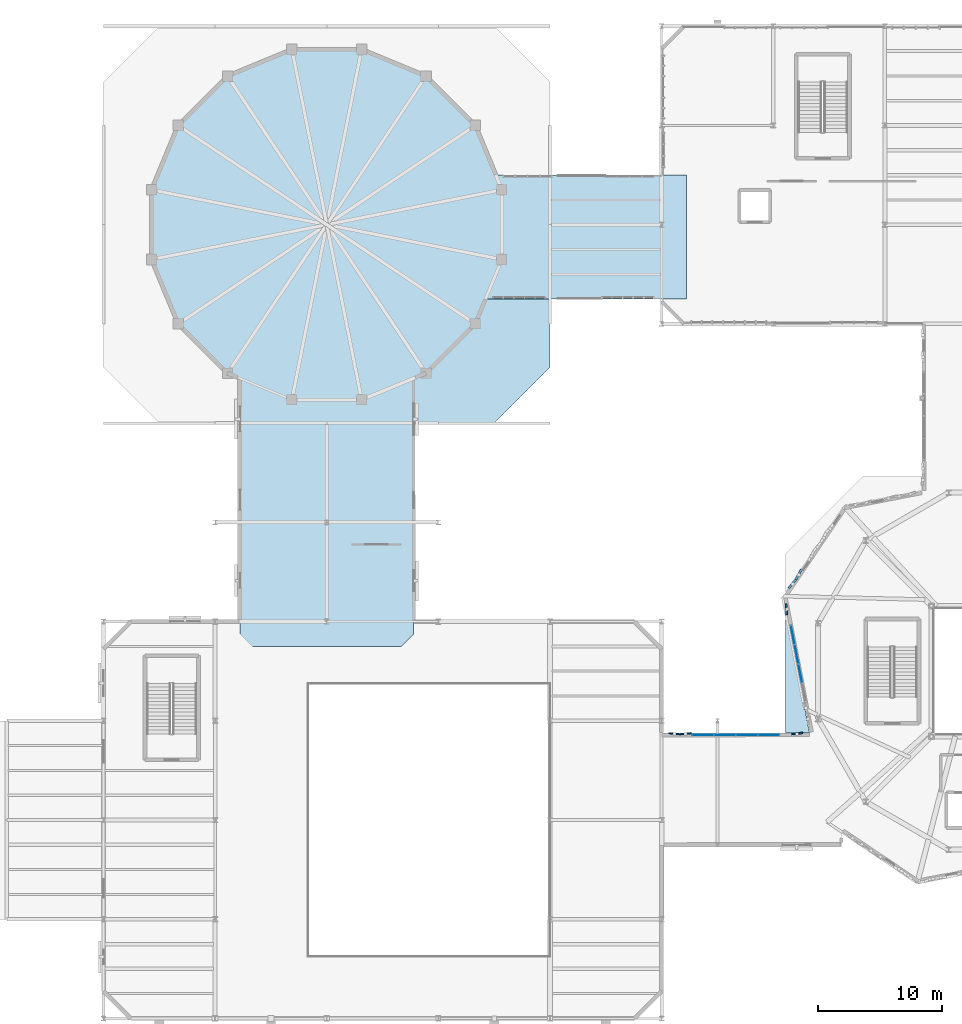
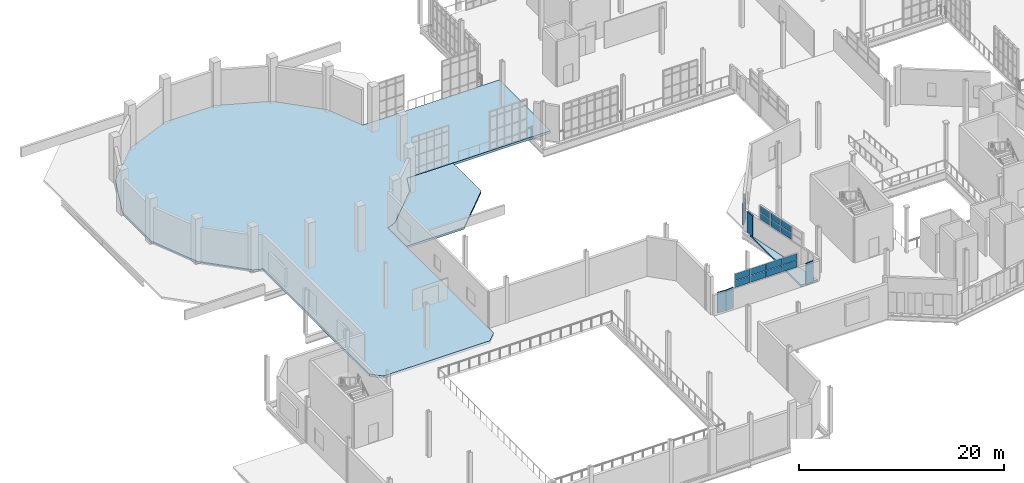
# One storey, part 103 of 142: 20 plates, 3 slabs, 2 elements without a shape of their own.
"""IFC4 building model written with IfcOpenShell, lengths in metres."""

from ifc_helpers import new_model, si_unit, direction, frame, frame_2d, origin, origin_2d, place, context, subcontext, project, spatial, polyline, rectangle, outline, extrude, material, layer, layer_set, type_object, element, aggregate, save


model = new_model("IFC4")

# Units and contexts
model_context = context("Model", 3, precision=1e-05, world=origin(), true_north=direction((0.0, 1.0)))
body_context = subcontext(model_context, "Body", "Model", "MODEL_VIEW")
ifc_project = project(units=[si_unit("LENGTHUNIT", "METRE"), si_unit("AREAUNIT", "SQUARE_METRE"), si_unit("VOLUMEUNIT", "CUBIC_METRE"), si_unit("PLANEANGLEUNIT", "RADIAN"), si_unit("MASSUNIT", "GRAM", prefix="KILO"), si_unit("THERMODYNAMICTEMPERATUREUNIT", "KELVIN"), si_unit("POWERUNIT", "WATT")], contexts=[model_context])

# Site, building, storey
site_placement = place(None, origin())
site = spatial("IfcSite", under=ifc_project, at=site_placement, CompositionType="ELEMENT")
building_placement = place(site_placement, origin())
building = spatial("IfcBuilding", under=site, at=building_placement, Name="Zelmaris Science Centre", CompositionType="ELEMENT")
storey_placement = place(building_placement, frame((0.0, 0.0, 5.39990234375)))
storey = spatial("IfcBuildingStorey", under=building, at=storey_placement, Name="L01", CompositionType="ELEMENT", Elevation=5.39990234375)

# Curtain wall, plates
ifc_material_1 = material(Name="Anodised architectural aluminium 6063-T6", Category="aluminium")
ifc_layer_1 = layer(ifc_material_1, 0.18994140625, Name="Anodised architectural aluminium 6063-T6")
ifc_layer_set_1 = layer_set([ifc_layer_1], Name="Anodised architectural aluminium 6063-T6")
curtain_wall_type_1 = type_object("IfcCurtainWallType", Name="Curtain Wall CW-01", PredefinedType="USERDEFINED", material=ifc_layer_set_1)
curtain_wall_1_placement = place(storey_placement, origin())
curtain_wall_1 = element("IfcCurtainWall", 1, at=curtain_wall_1_placement, inside=storey, type_object=curtain_wall_type_1, Name="L01 Clerestory curtain wall 193", ObjectType="GLAZED CURTAIN WALL", PredefinedType="USERDEFINED")
ifc_material_2 = material(Name="Laminated hurricane-rated low-E insulated glazing", Category="glass")
ifc_layer_2 = layer(ifc_material_2, 0.031982421875, Name="Laminated hurricane-rated low-E insulated glazing")
ifc_layer_set_2 = layer_set([ifc_layer_2], Name="Laminated hurricane-rated low-E insulated glazing")
plate_type_1 = type_object("IfcPlateType", Name="Curtain Glazing Panel CWP-1 32mm", PredefinedType="CURTAIN_PANEL", material=ifc_layer_set_2)
plate_1_placement = place(storey_placement, frame((65.17578125, 35.806884765625, 2.4921875), z_axis=(0.0, 0.0, 1.0), x_axis=(-0.190802783202, 0.981628390952, 0.0)))
plate_1 = element("IfcPlate", 2, at=plate_1_placement, type_object=plate_type_1, Name="CW-01 panel 2.1", PredefinedType="CURTAIN_PANEL", context=body_context, shape_type="SweptSolid", body=[
    extrude(rectangle(XDim=1.523193359375, YDim=0.031982421875, at=origin_2d()), origin(), (0.0, 0.0, 1.0), 0.763916015625),
])
plate_2_placement = place(storey_placement, frame((65.17578125, 35.806884765625, 3.328125), z_axis=(0.0, 0.0, 1.0), x_axis=(-0.190802783202, 0.981628390952, 0.0)))
plate_2 = element("IfcPlate", 3, at=plate_2_placement, type_object=plate_type_1, Name="CW-01 panel 2.2", PredefinedType="CURTAIN_PANEL", context=body_context, shape_type="SweptSolid", body=[
    extrude(rectangle(XDim=1.523193359375, YDim=0.031982421875, at=origin_2d()), origin(), (0.0, 0.0, 1.0), 0.763916015625),
])
plate_3_placement = place(storey_placement, frame((64.871337890625, 37.37255859375, 2.4921875), z_axis=(0.0, 0.0, 1.0), x_axis=(-0.190802783202, 0.981628390952, 0.0)))
plate_3 = element("IfcPlate", 4, at=plate_3_placement, type_object=plate_type_1, Name="CW-01 panel 3.1", PredefinedType="CURTAIN_PANEL", context=body_context, shape_type="SweptSolid", body=[
    extrude(rectangle(XDim=1.523193359375, YDim=0.031982421875, at=origin_2d()), origin(), (0.0, 0.0, 1.0), 0.763916015625),
])
plate_4_placement = place(storey_placement, frame((64.871337890625, 37.37255859375, 3.328125), z_axis=(0.0, 0.0, 1.0), x_axis=(-0.190802783202, 0.981628390952, 0.0)))
plate_4 = element("IfcPlate", 5, at=plate_4_placement, type_object=plate_type_1, Name="CW-01 panel 3.2", PredefinedType="CURTAIN_PANEL", context=body_context, shape_type="SweptSolid", body=[
    extrude(rectangle(XDim=1.523193359375, YDim=0.031982421875, at=origin_2d()), origin(), (0.0, 0.0, 1.0), 0.763916015625),
])
plate_5_placement = place(storey_placement, frame((64.5703125, 38.9208984375, 2.4921875), z_axis=(0.0, 0.0, 1.0), x_axis=(-0.190802783202, 0.981628390952, 0.0)))
plate_5 = element("IfcPlate", 6, at=plate_5_placement, type_object=plate_type_1, Name="CW-01 panel 4.1", PredefinedType="CURTAIN_PANEL", context=body_context, shape_type="SweptSolid", body=[
    extrude(rectangle(XDim=1.4873046875, YDim=0.031982421875, at=origin_2d()), origin(), (0.0, 0.0, 1.0), 0.763916015625),
])
plate_6_placement = place(storey_placement, frame((64.5703125, 38.9208984375, 3.328125), z_axis=(0.0, 0.0, 1.0), x_axis=(-0.190802783202, 0.981628390952, 0.0)))
plate_6 = element("IfcPlate", 7, at=plate_6_placement, type_object=plate_type_1, Name="CW-01 panel 4.2", PredefinedType="CURTAIN_PANEL", context=body_context, shape_type="SweptSolid", body=[
    extrude(rectangle(XDim=1.4873046875, YDim=0.031982421875, at=origin_2d()), origin(), (0.0, 0.0, 1.0), 0.763916015625),
])
aggregate(curtain_wall_1, [plate_1, plate_2, plate_3, plate_4, plate_5, plate_6])

ifc_layer_3 = layer(ifc_material_1, 0.219970703125, Name="Anodised architectural aluminium 6063-T6")
ifc_layer_set_3 = layer_set([ifc_layer_3], Name="Anodised architectural aluminium 6063-T6")
curtain_wall_type_2 = type_object("IfcCurtainWallType", Name="Curtain Wall CW-04", PredefinedType="USERDEFINED", material=ifc_layer_set_3)
curtain_wall_2_placement = place(storey_placement, origin())
curtain_wall_2 = element("IfcCurtainWall", 8, at=curtain_wall_2_placement, inside=storey, type_object=curtain_wall_type_2, Name="L01 Clerestory curtain wall 192", ObjectType="GLAZED CURTAIN WALL", PredefinedType="USERDEFINED")
ifc_layer_4 = layer(ifc_material_2, 0.02392578125, Name="Laminated hurricane-rated low-E insulated glazing")
ifc_layer_set_4 = layer_set([ifc_layer_4], Name="Laminated hurricane-rated low-E insulated glazing")
plate_type_2 = type_object("IfcPlateType", Name="Curtain Glazing Panel CWP-4 24mm", PredefinedType="CURTAIN_PANEL", material=ifc_layer_set_4)
plate_7_placement = place(storey_placement, frame((57.325927734375, 30.85205078125, 2.47216796875), z_axis=(0.0, 0.0, 1.0), x_axis=(0.999999807391, 0.000620659428, 0.0)))
plate_7 = element("IfcPlate", 9, at=plate_7_placement, type_object=plate_type_2, Name="CW-04 panel 1.1", PredefinedType="CURTAIN_PANEL", context=body_context, shape_type="SweptSolid", body=[
    extrude(rectangle(XDim=1.694580078125, YDim=0.02392578125, at=origin_2d()), origin(), (0.0, 0.0, 1.0), 0.77587890625),
])
plate_8_placement = place(storey_placement, frame((57.325927734375, 30.85205078125, 3.300048828125), z_axis=(0.0, 0.0, 1.0), x_axis=(0.999999807391, 0.000620659428, 0.0)))
plate_8 = element("IfcPlate", 10, at=plate_8_placement, type_object=plate_type_2, Name="CW-04 panel 1.2", PredefinedType="CURTAIN_PANEL", context=body_context, shape_type="SweptSolid", body=[
    extrude(rectangle(XDim=1.694580078125, YDim=0.02392578125, at=origin_2d()), origin(), (0.0, 0.0, 1.0), 0.77587890625),
])
plate_9_placement = place(storey_placement, frame((59.08544921875, 30.853271484375, 2.47216796875), z_axis=(0.0, 0.0, 1.0), x_axis=(0.999999807391, 0.000620659428, 0.0)))
plate_9 = element("IfcPlate", 11, at=plate_9_placement, type_object=plate_type_2, Name="CW-04 panel 2.1", PredefinedType="CURTAIN_PANEL", context=body_context, shape_type="SweptSolid", body=[
    extrude(rectangle(XDim=1.720458984375, YDim=0.02392578125, at=origin_2d()), origin(), (0.0, 0.0, 1.0), 0.77587890625),
])
plate_10_placement = place(storey_placement, frame((59.08544921875, 30.853271484375, 3.300048828125), z_axis=(0.0, 0.0, 1.0), x_axis=(0.999999807391, 0.000620659428, 0.0)))
plate_10 = element("IfcPlate", 12, at=plate_10_placement, type_object=plate_type_2, Name="CW-04 panel 2.2", PredefinedType="CURTAIN_PANEL", context=body_context, shape_type="SweptSolid", body=[
    extrude(rectangle(XDim=1.720458984375, YDim=0.02392578125, at=origin_2d()), origin(), (0.0, 0.0, 1.0), 0.77587890625),
])
plate_11_placement = place(storey_placement, frame((60.85791015625, 30.854248046875, 2.47216796875), z_axis=(0.0, 0.0, 1.0), x_axis=(0.999999807391, 0.000620659428, 0.0)))
plate_11 = element("IfcPlate", 13, at=plate_11_placement, type_object=plate_type_2, Name="CW-04 panel 3.1", PredefinedType="CURTAIN_PANEL", context=body_context, shape_type="SweptSolid", body=[
    extrude(rectangle(XDim=1.720458984375, YDim=0.02392578125, at=origin_2d()), origin(), (0.0, 0.0, 1.0), 0.77587890625),
])
plate_12_placement = place(storey_placement, frame((60.85791015625, 30.854248046875, 3.300048828125), z_axis=(0.0, 0.0, 1.0), x_axis=(0.999999807391, 0.000620659428, 0.0)))
plate_12 = element("IfcPlate", 14, at=plate_12_placement, type_object=plate_type_2, Name="CW-04 panel 3.2", PredefinedType="CURTAIN_PANEL", context=body_context, shape_type="SweptSolid", body=[
    extrude(rectangle(XDim=1.720458984375, YDim=0.02392578125, at=origin_2d()), origin(), (0.0, 0.0, 1.0), 0.77587890625),
])
plate_13_placement = place(storey_placement, frame((62.617431640625, 30.85546875, 2.47216796875), z_axis=(0.0, 0.0, 1.0), x_axis=(0.999999807391, 0.000620659428, 0.0)))
plate_13 = element("IfcPlate", 15, at=plate_13_placement, type_object=plate_type_2, Name="CW-04 panel 4.1", PredefinedType="CURTAIN_PANEL", context=body_context, shape_type="SweptSolid", body=[
    extrude(rectangle(XDim=1.694580078125, YDim=0.02392578125, at=origin_2d()), origin(), (0.0, 0.0, 1.0), 0.77587890625),
])
plate_14_placement = place(storey_placement, frame((62.617431640625, 30.85546875, 3.300048828125), z_axis=(0.0, 0.0, 1.0), x_axis=(0.999999807391, 0.000620659428, 0.0)))
plate_14 = element("IfcPlate", 16, at=plate_14_placement, type_object=plate_type_2, Name="CW-04 panel 4.2", PredefinedType="CURTAIN_PANEL", context=body_context, shape_type="SweptSolid", body=[
    extrude(rectangle(XDim=1.694580078125, YDim=0.02392578125, at=origin_2d()), origin(), (0.0, 0.0, 1.0), 0.77587890625),
])
aggregate(curtain_wall_2, [plate_7, plate_8, plate_9, plate_10, plate_11, plate_12, plate_13, plate_14])

# Plates
ifc_material_3 = material(Name="Precast concrete C40/50", Category="concrete")
ifc_layer_5 = layer(ifc_material_3, 0.110107421875, Name="Precast concrete C40/50")
ifc_layer_set_5 = layer_set([ifc_layer_5], Name="Precast concrete C40/50")
plate_type_3 = type_object("IfcPlateType", Name="Precast Facet Panel FP-01 110mm", PredefinedType="SHEET", material=ifc_layer_set_5)
plate_15_placement = place(storey_placement, frame((54.57177734375, 31.001953125, 0.02001953125), z_axis=(0.0, 0.0, 1.0), x_axis=(0.994918907236, -0.100679531307, 0.0)))
element("IfcPlate", 17, at=plate_15_placement, inside=storey, type_object=plate_type_3, Name="L01 Folded precast facet panel 36", PredefinedType="SHEET", context=body_context, shape_type="SweptSolid", body=[
    extrude(rectangle(XDim=0.904541015625, YDim=0.110107421875, at=frame_2d((0.4521484375, 0.0))), origin(), (0.0, 0.0, 1.0), 2.4599609375),
])
ifc_layer_6 = layer(ifc_material_3, 0.1201171875, Name="Precast concrete C40/50")
ifc_layer_set_6 = layer_set([ifc_layer_6], Name="Precast concrete C40/50")
plate_type_4 = type_object("IfcPlateType", Name="Precast Facet Panel FP-02 120mm", PredefinedType="SHEET", material=ifc_layer_set_6)
plate_16_placement = place(storey_placement, frame((55.4716796875, 30.910888671875, 0.02001953125), z_axis=(0.0, 0.0, 1.0), x_axis=(0.994782843235, 0.102015169491, 0.0)))
element("IfcPlate", 18, at=plate_16_placement, inside=storey, type_object=plate_type_4, Name="L01 Folded precast facet panel 37", PredefinedType="SHEET", context=body_context, shape_type="SweptSolid", body=[
    extrude(rectangle(XDim=0.904541015625, YDim=0.1201171875, at=frame_2d((0.4521484375, 0.0))), origin(), (0.0, 0.0, 1.0), 2.4599609375),
])
ifc_layer_7 = layer(ifc_material_3, 0.1298828125, Name="Precast concrete C40/50")
ifc_layer_set_7 = layer_set([ifc_layer_7], Name="Precast concrete C40/50")
plate_type_5 = type_object("IfcPlateType", Name="Precast Facet Panel FP-03 130mm", PredefinedType="SHEET", material=ifc_layer_set_7)
plate_17_placement = place(storey_placement, frame((64.4716796875, 30.91650390625, 0.02001953125), z_axis=(0.0, 0.0, 1.0), x_axis=(0.994782843235, 0.102015169491, 0.0)))
element("IfcPlate", 19, at=plate_17_placement, inside=storey, type_object=plate_type_5, Name="L01 Folded precast facet panel 38", PredefinedType="SHEET", context=body_context, shape_type="SweptSolid", body=[
    extrude(rectangle(XDim=0.904541015625, YDim=0.1298828125, at=frame_2d((0.4521484375, 0.0))), origin(), (0.0, 0.0, 1.0), 2.4599609375),
])
ifc_layer_8 = layer(ifc_material_3, 0.159912109375, Name="Precast concrete C40/50")
ifc_layer_set_8 = layer_set([ifc_layer_8], Name="Precast concrete C40/50")
plate_type_6 = type_object("IfcPlateType", Name="Precast Facet Panel FP-06 160mm", PredefinedType="SHEET", material=ifc_layer_set_8)
plate_18_placement = place(storey_placement, frame((64.10205078125, 40.536376953125, 0.02001953125), z_axis=(0.0, 0.0, 1.0), x_axis=(-0.090414072404, 0.995904260213, 0.0)))
element("IfcPlate", 20, at=plate_18_placement, inside=storey, type_object=plate_type_6, Name="L01 Folded precast facet panel 41", PredefinedType="SHEET", context=body_context, shape_type="SweptSolid", body=[
    extrude(rectangle(XDim=0.904541015625, YDim=0.159912109375, at=frame_2d((0.4521484375, 0.0))), origin(), (0.0, 0.0, 1.0), 2.4599609375),
])
ifc_layer_9 = layer(ifc_material_3, 0.169921875, Name="Precast concrete C40/50")
ifc_layer_set_9 = layer_set([ifc_layer_9], Name="Precast concrete C40/50")
plate_type_7 = type_object("IfcPlateType", Name="Precast Facet Panel FP-07 170mm", PredefinedType="SHEET", material=ifc_layer_set_9)
plate_19_placement = place(storey_placement, frame((64.2451171875, 42.692138671875, 0.02001953125), z_axis=(0.0, 0.0, 1.0), x_axis=(0.640104765798, 0.76828763416, 0.0)))
element("IfcPlate", 21, at=plate_19_placement, inside=storey, type_object=plate_type_7, Name="L01 Folded precast facet panel 42", PredefinedType="SHEET", context=body_context, shape_type="SweptSolid", body=[
    extrude(rectangle(XDim=0.90478515625, YDim=0.169921875, at=frame_2d((0.452392578125, 0.0))), origin(), (0.0, 0.0, 1.0), 2.4599609375),
])
ifc_layer_10 = layer(ifc_material_3, 0.179931640625, Name="Precast concrete C40/50")
ifc_layer_set_10 = layer_set([ifc_layer_10], Name="Precast concrete C40/50")
plate_type_8 = type_object("IfcPlateType", Name="Precast Facet Panel FP-08 180mm", PredefinedType="SHEET", material=ifc_layer_set_10)
plate_20_placement = place(storey_placement, frame((64.82421875, 43.38720703125, 0.02001953125), z_axis=(0.0, 0.0, 1.0), x_axis=(0.472618343288, 0.881267213499, 0.0)))
element("IfcPlate", 22, at=plate_20_placement, inside=storey, type_object=plate_type_8, Name="L01 Folded precast facet panel 43", PredefinedType="SHEET", context=body_context, shape_type="SweptSolid", body=[
    extrude(rectangle(XDim=0.904541015625, YDim=0.179931640625, at=frame_2d((0.4521484375, 0.0))), origin(), (0.0, 0.0, 1.0), 2.4599609375),
])

# Slabs
ifc_material_4 = material(Name="Concrete C35/45", Category="concrete")
ifc_layer_11 = layer(ifc_material_4, 0.280029296875, Name="Concrete C35/45")
ifc_layer_set_11 = layer_set([ifc_layer_11], Name="Concrete C35/45")
slab_type_1 = type_object("IfcSlabType", Name="Slab SL-FL280 280mm", PredefinedType="FLOOR", material=ifc_layer_set_11)
slab_1_placement = place(storey_placement, frame((0.0, 0.0, -0.27978515625)))
element("IfcSlab", 23, at=slab_1_placement, inside=storey, type_object=slab_type_1, Name="L01 Planetarium auditorium slab", PredefinedType="FLOOR", context=body_context, shape_type="SweptSolid", body=[
    extrude(outline(polyline([(12.876708984375, 69.190673828125), (12.876708984375, 74.809326171875), (15.02685546875, 80.000244140625), (18.999755859375, 83.97314453125), (24.190673828125, 86.123291015625), (29.809326171875, 86.123291015625), (35.000244140625, 83.97314453125), (38.97314453125, 80.000244140625), (40.630126953125, 76.0), (56.0, 76.0), (56.0, 66.0), (39.8017578125, 66.0), (38.97314453125, 63.999755859375), (35.000244140625, 60.02685546875), (34.0, 59.612548828125), (34.0, 39.0), (33.0, 38.0), (21.0, 38.0), (20.0, 39.0), (20.0, 59.612548828125), (18.999755859375, 60.02685546875), (15.02685546875, 63.999755859375), (12.876708984375, 69.190673828125)])), origin(), (0.0, 0.0, 1.0), 0.27978515625),
])
ifc_layer_12 = layer(ifc_material_4, 0.219970703125, Name="Concrete C35/45")
ifc_layer_set_12 = layer_set([ifc_layer_12], Name="Concrete C35/45")
slab_type_2 = type_object("IfcSlabType", Name="Slab SL-RF220 220mm", PredefinedType="ROOF", material=ifc_layer_set_12)
slab_2_placement = place(storey_placement, frame((0.0, 0.0, -0.219970703125)))
element("IfcSlab", 24, at=slab_2_placement, inside=storey, type_object=slab_type_2, Name="L01 Exhibition setback cornice roof 4", PredefinedType="ROOF", context=body_context, shape_type="SweptSolid", body=[
    extrude(outline(polyline([(65.922607421875, 31.02001953125), (64.0, 31.02001953125), (64.0, 40.91162109375), (65.922607421875, 31.02001953125)])), origin(), (0.0, 0.0, 1.0), 0.219970703125),
])
ifc_layer_13 = layer(ifc_material_4, 0.239990234375, Name="Concrete C35/45")
ifc_layer_set_13 = layer_set([ifc_layer_13], Name="Concrete C35/45")
slab_type_3 = type_object("IfcSlabType", Name="Slab SL-RF240 240mm", PredefinedType="ROOF", material=ifc_layer_set_13)
slab_3_placement = place(storey_placement, frame((0.0, 0.0, -0.239990234375)))
element("IfcSlab", 25, at=slab_3_placement, inside=storey, type_object=slab_type_3, Name="L01 Planetarium plinth roof part 2", PredefinedType="ROOF", context=body_context, shape_type="SweptSolid", body=[
    extrude(outline(polyline([(45.0, 60.5), (40.5, 56.0), (34.010009765625, 56.0), (34.010009765625, 59.605712890625), (35.006591796875, 60.01904296875), (38.980224609375, 63.99267578125), (39.808349609375, 65.989990234375), (45.0, 65.989990234375), (45.0, 60.5)])), origin(), (0.0, 0.0, 1.0), 0.239990234375),
])

save(model, "model.ifc")
